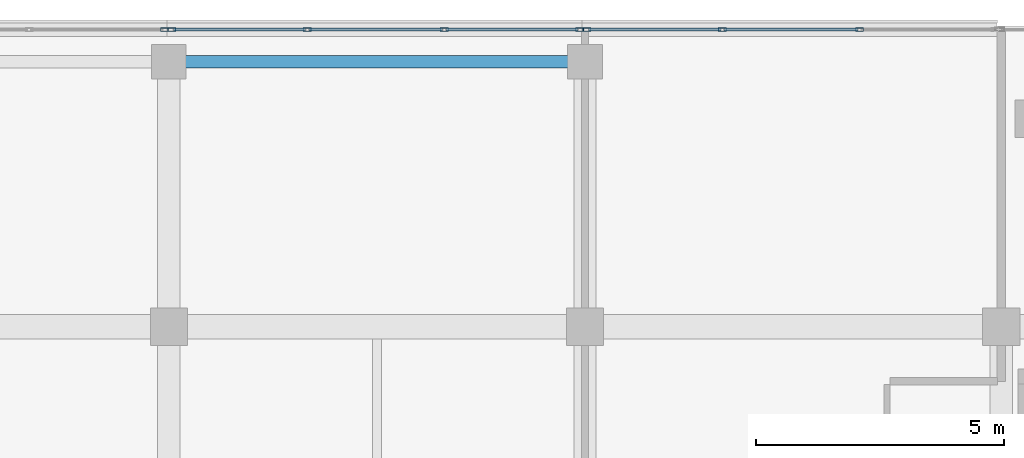
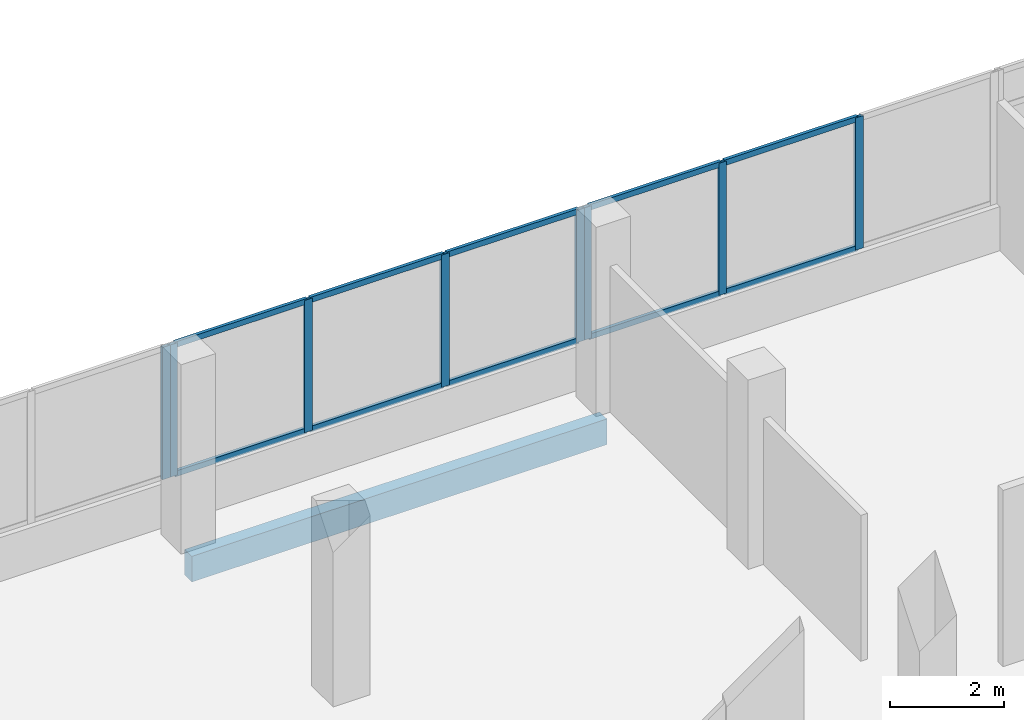
# One storey, part 38 of 101: 18 members, 1 beam, 3 elements without a shape of their own.
"""IFC4 building model written with IfcOpenShell, lengths in metres."""

from ifc_helpers import new_model, si_unit, direction, frame, origin, origin_2d, place, context, subcontext, project, spatial, rectangle, hollow_rectangle, extrude, material, material_profile, profile_set, type_object, element, aggregate, save


model = new_model("IFC4")

# Units and contexts
model_context = context("Model", 3, precision=1e-05, world=origin(), true_north=direction((0.0, 1.0)))
body_context = subcontext(model_context, "Body", "Model", "MODEL_VIEW")
ifc_project = project(units=[si_unit("LENGTHUNIT", "METRE"), si_unit("AREAUNIT", "SQUARE_METRE"), si_unit("VOLUMEUNIT", "CUBIC_METRE"), si_unit("PLANEANGLEUNIT", "RADIAN"), si_unit("MASSUNIT", "GRAM", prefix="KILO")], contexts=[model_context])

# Site, building, storey
site_placement = place(None, origin())
site = spatial("IfcSite", under=ifc_project, at=site_placement, CompositionType="ELEMENT")
building_placement = place(site_placement, origin())
building = spatial("IfcBuilding", under=site, at=building_placement, Name="Selatvlak General Hospital", CompositionType="ELEMENT")
storey_placement = place(building_placement, frame((0.0, 0.0, 19.199951171875)))
storey = spatial("IfcBuildingStorey", under=building, at=storey_placement, Name="L04", CompositionType="ELEMENT", Elevation=19.199951171875)

# Beam
ifc_material_1 = material(Name="Concrete C40/50", Category="concrete")
ifc_material_profile_1 = material_profile(ifc_material_1, rectangle(XDim=0.25, YDim=0.550048828125, at=origin_2d()), Name="RC-SP 250x550")
ifc_profile_set_1 = profile_set([ifc_material_profile_1], Name="Concrete C40/50")
beam_type = type_object("IfcBeamType", Name="BM-SP2", PredefinedType="SPANDREL", material=ifc_profile_set_1)
beam_placement = place(storey_placement, frame((31.199951171875, 119.35009765625, -0.579833984375), z_axis=(1.0, 0.0, 0.0), x_axis=(0.0, 1.0, 0.0)))
element("IfcBeam", 1, at=beam_placement, inside=storey, type_object=beam_type, Name="Beam BMR-L04-1630", PredefinedType="SPANDREL", context=body_context, shape_type="SweptSolid", body=[
    extrude(rectangle(XDim=0.25, YDim=0.550048828125, at=origin_2d()), origin(), (0.0, 0.0, 1.0), 8.400146484375),
])

# Curtain wall, member
ifc_material_2 = material(Name="Solar-control Low-E double glazing", Category="glass")
curtain_wall_type_1 = type_object("IfcCurtainWallType", Name="CW-CW-01", PredefinedType="USERDEFINED", material=ifc_material_2)
curtain_wall_1_placement = place(storey_placement, origin())
curtain_wall_1 = element("IfcCurtainWall", 2, at=curtain_wall_1_placement, inside=storey, type_object=curtain_wall_type_1, Name="Glazed facade curtain wall CW-L04-0481", ObjectType="UNITISED CURTAIN WALL", PredefinedType="USERDEFINED")
ifc_material_3 = material(Name="Dark anodised aluminium mullion", Category="aluminium")
ifc_material_profile_2 = material_profile(ifc_material_3, hollow_rectangle(XDim=0.06494140625, YDim=0.159912109375, WallThickness=0.00390625, at=origin_2d()), Name="AL-MUL 65x160x4")
ifc_profile_set_2 = profile_set([ifc_material_profile_2], Name="Dark anodised aluminium mullion")
member_type_1 = type_object("IfcMemberType", Name="CWM-01", PredefinedType="MULLION", material=ifc_profile_set_2)
member_1_placement = place(storey_placement, frame((31.112548828125, 119.9990234375, 0.93994140625), z_axis=(0.0, 0.0, 1.0), x_axis=(0.0, 1.0, 0.0)))
member_1 = element("IfcMember", 3, at=member_1_placement, type_object=member_type_1, Name="CW-01 mullion 4", PredefinedType="MULLION", context=body_context, shape_type="SweptSolid", body=[
    extrude(hollow_rectangle(XDim=0.06494140625, YDim=0.159912109375, WallThickness=0.00390625, at=origin_2d()), origin(), (0.0, 0.0, 1.0), 2.830078125),
])
aggregate(curtain_wall_1, [member_1])

# Curtain wall, members
curtain_wall_type_2 = type_object("IfcCurtainWallType", Name="CW-CW-02", PredefinedType="USERDEFINED", material=ifc_material_2)
curtain_wall_2_placement = place(storey_placement, origin())
curtain_wall_2 = element("IfcCurtainWall", 4, at=curtain_wall_2_placement, inside=storey, type_object=curtain_wall_type_2, Name="Glazed facade curtain wall CW-L04-0482", ObjectType="UNITISED CURTAIN WALL", PredefinedType="USERDEFINED")
member_2_placement = place(storey_placement, frame((31.257568359375, 119.9990234375, 0.93994140625), z_axis=(0.0, 0.0, 1.0), x_axis=(0.0, 1.0, 0.0)))
member_2 = element("IfcMember", 5, at=member_2_placement, type_object=member_type_1, Name="CW-02 mullion 1", PredefinedType="MULLION", context=body_context, shape_type="SweptSolid", body=[
    extrude(hollow_rectangle(XDim=0.06494140625, YDim=0.159912109375, WallThickness=0.00390625, at=origin_2d()), origin(), (0.0, 0.0, 1.0), 2.830078125),
])
member_3_placement = place(storey_placement, frame((33.99169921875, 119.9990234375, 0.93994140625), z_axis=(0.0, 0.0, 1.0), x_axis=(0.0, 1.0, 0.0)))
member_3 = element("IfcMember", 6, at=member_3_placement, type_object=member_type_1, Name="CW-02 mullion 2", PredefinedType="MULLION", context=body_context, shape_type="SweptSolid", body=[
    extrude(hollow_rectangle(XDim=0.06494140625, YDim=0.159912109375, WallThickness=0.00390625, at=origin_2d()), origin(), (0.0, 0.0, 1.0), 2.830078125),
])
member_4_placement = place(storey_placement, frame((36.75830078125, 119.9990234375, 0.93994140625), z_axis=(0.0, 0.0, 1.0), x_axis=(0.0, 1.0, 0.0)))
member_4 = element("IfcMember", 7, at=member_4_placement, type_object=member_type_1, Name="CW-02 mullion 3", PredefinedType="MULLION", context=body_context, shape_type="SweptSolid", body=[
    extrude(hollow_rectangle(XDim=0.06494140625, YDim=0.159912109375, WallThickness=0.00390625, at=origin_2d()), origin(), (0.0, 0.0, 1.0), 2.830078125),
])
member_5_placement = place(storey_placement, frame((39.492431640625, 119.9990234375, 0.93994140625), z_axis=(0.0, 0.0, 1.0), x_axis=(0.0, 1.0, 0.0)))
member_5 = element("IfcMember", 8, at=member_5_placement, type_object=member_type_1, Name="CW-02 mullion 4", PredefinedType="MULLION", context=body_context, shape_type="SweptSolid", body=[
    extrude(hollow_rectangle(XDim=0.06494140625, YDim=0.159912109375, WallThickness=0.00390625, at=origin_2d()), origin(), (0.0, 0.0, 1.0), 2.830078125),
])

curtain_wall_3_placement = place(storey_placement, origin())
curtain_wall_3 = element("IfcCurtainWall", 9, at=curtain_wall_3_placement, inside=storey, type_object=curtain_wall_type_1, Name="Glazed facade curtain wall CW-L04-0483", ObjectType="UNITISED CURTAIN WALL", PredefinedType="USERDEFINED")
member_6_placement = place(storey_placement, frame((39.637451171875, 119.9990234375, 0.93994140625), z_axis=(0.0, 0.0, 1.0), x_axis=(0.0, 1.0, 0.0)))
member_6 = element("IfcMember", 10, at=member_6_placement, type_object=member_type_1, Name="CW-01 mullion 1", PredefinedType="MULLION", context=body_context, shape_type="SweptSolid", body=[
    extrude(hollow_rectangle(XDim=0.06494140625, YDim=0.159912109375, WallThickness=0.00390625, at=origin_2d()), origin(), (0.0, 0.0, 1.0), 2.830078125),
])
member_7_placement = place(storey_placement, frame((42.37158203125, 119.9990234375, 0.93994140625), z_axis=(0.0, 0.0, 1.0), x_axis=(0.0, 1.0, 0.0)))
member_7 = element("IfcMember", 11, at=member_7_placement, type_object=member_type_1, Name="CW-01 mullion 2", PredefinedType="MULLION", context=body_context, shape_type="SweptSolid", body=[
    extrude(hollow_rectangle(XDim=0.06494140625, YDim=0.159912109375, WallThickness=0.00390625, at=origin_2d()), origin(), (0.0, 0.0, 1.0), 2.830078125),
])
member_8_placement = place(storey_placement, frame((45.138427734375, 119.9990234375, 0.93994140625), z_axis=(0.0, 0.0, 1.0), x_axis=(0.0, 1.0, 0.0)))
member_8 = element("IfcMember", 12, at=member_8_placement, type_object=member_type_1, Name="CW-01 mullion 3", PredefinedType="MULLION", context=body_context, shape_type="SweptSolid", body=[
    extrude(hollow_rectangle(XDim=0.06494140625, YDim=0.159912109375, WallThickness=0.00390625, at=origin_2d()), origin(), (0.0, 0.0, 1.0), 2.830078125),
])

# Member
ifc_material_profile_3 = material_profile(ifc_material_3, hollow_rectangle(XDim=0.06494140625, YDim=0.1201171875, WallThickness=0.00390625, at=origin_2d()), Name="AL-TRN 65x120x4")
ifc_profile_set_3 = profile_set([ifc_material_profile_3], Name="Dark anodised aluminium mullion")
member_type_2 = type_object("IfcMemberType", Name="CWT-01", PredefinedType="USERDEFINED", material=ifc_profile_set_3)
member_9_placement = place(storey_placement, frame((31.2900390625, 119.9990234375, 0.97265625), z_axis=(1.0, 0.0, 0.0), x_axis=(0.0, 1.0, 0.0)))
member_9 = element("IfcMember", 13, at=member_9_placement, type_object=member_type_2, Name="CW-02 transom 1.1", ObjectType="TRANSOM", PredefinedType="USERDEFINED", context=body_context, shape_type="SweptSolid", body=[
    extrude(hollow_rectangle(XDim=0.06494140625, YDim=0.1201171875, WallThickness=0.00390625, at=origin_2d()), origin(), (0.0, 0.0, 1.0), 2.669189453125),
])

member_10_placement = place(storey_placement, frame((31.2900390625, 119.9990234375, 3.737548828125), z_axis=(1.0, 0.0, 0.0), x_axis=(0.0, 1.0, 0.0)))
member_10 = element("IfcMember", 14, at=member_10_placement, type_object=member_type_2, Name="CW-02 transom 1.2", ObjectType="TRANSOM", PredefinedType="USERDEFINED", context=body_context, shape_type="SweptSolid", body=[
    extrude(hollow_rectangle(XDim=0.06494140625, YDim=0.1201171875, WallThickness=0.00390625, at=origin_2d()), origin(), (0.0, 0.0, 1.0), 2.669189453125),
])

member_11_placement = place(storey_placement, frame((34.024169921875, 119.9990234375, 0.97265625), z_axis=(1.0, 0.0, 0.0), x_axis=(0.0, 1.0, 0.0)))
member_11 = element("IfcMember", 15, at=member_11_placement, type_object=member_type_2, Name="CW-02 transom 2.1", ObjectType="TRANSOM", PredefinedType="USERDEFINED", context=body_context, shape_type="SweptSolid", body=[
    extrude(hollow_rectangle(XDim=0.06494140625, YDim=0.1201171875, WallThickness=0.00390625, at=origin_2d()), origin(), (0.0, 0.0, 1.0), 2.70166015625),
])

member_12_placement = place(storey_placement, frame((34.024169921875, 119.9990234375, 3.737548828125), z_axis=(1.0, 0.0, 0.0), x_axis=(0.0, 1.0, 0.0)))
member_12 = element("IfcMember", 16, at=member_12_placement, type_object=member_type_2, Name="CW-02 transom 2.2", ObjectType="TRANSOM", PredefinedType="USERDEFINED", context=body_context, shape_type="SweptSolid", body=[
    extrude(hollow_rectangle(XDim=0.06494140625, YDim=0.1201171875, WallThickness=0.00390625, at=origin_2d()), origin(), (0.0, 0.0, 1.0), 2.70166015625),
])

member_13_placement = place(storey_placement, frame((36.790771484375, 119.9990234375, 0.97265625), z_axis=(1.0, 0.0, 0.0), x_axis=(0.0, 1.0, 0.0)))
member_13 = element("IfcMember", 17, at=member_13_placement, type_object=member_type_2, Name="CW-02 transom 3.1", ObjectType="TRANSOM", PredefinedType="USERDEFINED", context=body_context, shape_type="SweptSolid", body=[
    extrude(hollow_rectangle(XDim=0.06494140625, YDim=0.1201171875, WallThickness=0.00390625, at=origin_2d()), origin(), (0.0, 0.0, 1.0), 2.669189453125),
])

member_14_placement = place(storey_placement, frame((36.790771484375, 119.9990234375, 3.737548828125), z_axis=(1.0, 0.0, 0.0), x_axis=(0.0, 1.0, 0.0)))
member_14 = element("IfcMember", 18, at=member_14_placement, type_object=member_type_2, Name="CW-02 transom 3.2", ObjectType="TRANSOM", PredefinedType="USERDEFINED", context=body_context, shape_type="SweptSolid", body=[
    extrude(hollow_rectangle(XDim=0.06494140625, YDim=0.1201171875, WallThickness=0.00390625, at=origin_2d()), origin(), (0.0, 0.0, 1.0), 2.669189453125),
])

aggregate(curtain_wall_2, [member_2, member_3, member_4, member_5, member_9, member_10, member_11, member_12, member_13, member_14])

member_15_placement = place(storey_placement, frame((39.669921875, 119.9990234375, 0.97265625), z_axis=(1.0, 0.0, 0.0), x_axis=(0.0, 1.0, 0.0)))
member_15 = element("IfcMember", 19, at=member_15_placement, type_object=member_type_2, Name="CW-01 transom 1.1", ObjectType="TRANSOM", PredefinedType="USERDEFINED", context=body_context, shape_type="SweptSolid", body=[
    extrude(hollow_rectangle(XDim=0.06494140625, YDim=0.1201171875, WallThickness=0.00390625, at=origin_2d()), origin(), (0.0, 0.0, 1.0), 2.669189453125),
])

member_16_placement = place(storey_placement, frame((39.669921875, 119.9990234375, 3.737548828125), z_axis=(1.0, 0.0, 0.0), x_axis=(0.0, 1.0, 0.0)))
member_16 = element("IfcMember", 20, at=member_16_placement, type_object=member_type_2, Name="CW-01 transom 1.2", ObjectType="TRANSOM", PredefinedType="USERDEFINED", context=body_context, shape_type="SweptSolid", body=[
    extrude(hollow_rectangle(XDim=0.06494140625, YDim=0.1201171875, WallThickness=0.00390625, at=origin_2d()), origin(), (0.0, 0.0, 1.0), 2.669189453125),
])

member_17_placement = place(storey_placement, frame((42.404052734375, 119.9990234375, 0.97265625), z_axis=(1.0, 0.0, 0.0), x_axis=(0.0, 1.0, 0.0)))
member_17 = element("IfcMember", 21, at=member_17_placement, type_object=member_type_2, Name="CW-01 transom 2.1", ObjectType="TRANSOM", PredefinedType="USERDEFINED", context=body_context, shape_type="SweptSolid", body=[
    extrude(hollow_rectangle(XDim=0.06494140625, YDim=0.1201171875, WallThickness=0.00390625, at=origin_2d()), origin(), (0.0, 0.0, 1.0), 2.70166015625),
])

member_18_placement = place(storey_placement, frame((42.404052734375, 119.9990234375, 3.737548828125), z_axis=(1.0, 0.0, 0.0), x_axis=(0.0, 1.0, 0.0)))
member_18 = element("IfcMember", 22, at=member_18_placement, type_object=member_type_2, Name="CW-01 transom 2.2", ObjectType="TRANSOM", PredefinedType="USERDEFINED", context=body_context, shape_type="SweptSolid", body=[
    extrude(hollow_rectangle(XDim=0.06494140625, YDim=0.1201171875, WallThickness=0.00390625, at=origin_2d()), origin(), (0.0, 0.0, 1.0), 2.70166015625),
])

aggregate(curtain_wall_3, [member_6, member_7, member_8, member_15, member_16, member_17, member_18])

save(model, "model.ifc")
